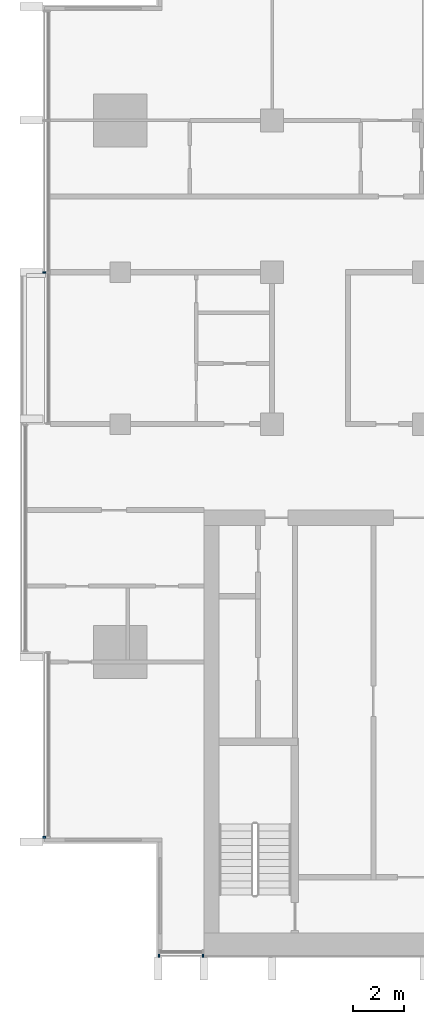
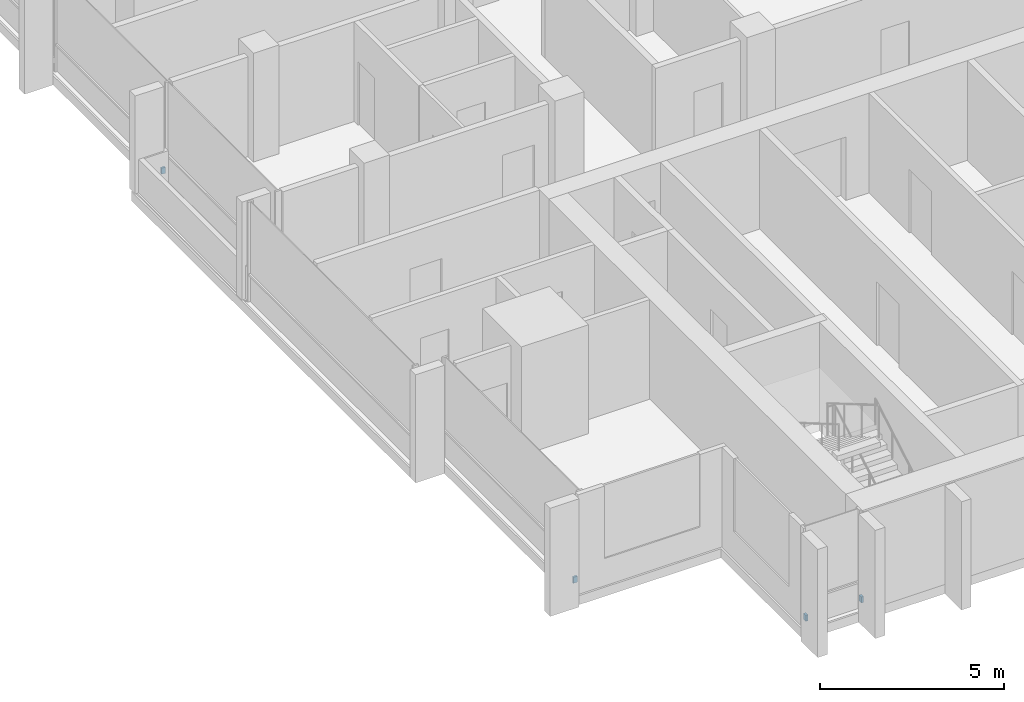
# One storey, part 12 of 16: 4 discrete accessories.
"""IFC4 building model written with IfcOpenShell, lengths in metres."""

from ifc_helpers import new_model, si_unit, direction, frame, origin, origin_2d, place, context, subcontext, project, spatial, rectangle, extrude, material, type_object, element, save


model = new_model("IFC4")

# Units and contexts
model_context = context("Model", 3, precision=1e-05, world=origin(), true_north=direction((0.0, 1.0)))
body_context = subcontext(model_context, "Body", "Model", "MODEL_VIEW")
ifc_project = project(units=[si_unit("LENGTHUNIT", "METRE"), si_unit("AREAUNIT", "SQUARE_METRE"), si_unit("VOLUMEUNIT", "CUBIC_METRE"), si_unit("PLANEANGLEUNIT", "RADIAN"), si_unit("MASSUNIT", "GRAM", prefix="KILO")], contexts=[model_context])

# Site, building, storey
site_placement = place(None, origin())
site = spatial("IfcSite", under=ifc_project, at=site_placement, CompositionType="ELEMENT")
building_placement = place(site_placement, origin())
building = spatial("IfcBuilding", under=site, at=building_placement, Name="Finial Court Residences", CompositionType="ELEMENT")
storey_placement = place(building_placement, frame((0.0, 0.0, 241.10009765625)))
storey = spatial("IfcBuildingStorey", under=building, at=storey_placement, Name="L61", CompositionType="ELEMENT", Elevation=241.10009765625)

# Discrete accessories
ifc_material = material(Name="Stainless steel 316", Category="steel")
discrete_accessory_type = type_object("IfcDiscreteAccessoryType", Name="Fin bracket, stainless steel 60 x 122 x 200", PredefinedType="BRACKET", material=ifc_material)
for number, where, z_axis, x_axis, name in (
    (1, (-14.969970703125, -25.498779296875, 0.2998046875), (0.0, 0.0, 1.0), (1.0, 0.0, 0.0), "E-L61-FIN-S13-BRK"),
    (2, (-13.22998046875, -25.498779296875, 0.2998046875), (0.0, 0.0, 1.0), (1.0, 0.0, 0.0), "E-L61-FIN-S14-BRK"),
):
    element("IfcDiscreteAccessory", number, at=place(storey_placement, frame(where, z_axis=z_axis, x_axis=x_axis)), inside=storey, type_object=discrete_accessory_type, Name=name, PredefinedType="BRACKET", context=body_context, shape_type="SweptSolid", body=[
        extrude(rectangle(XDim=0.06005859375, YDim=0.12255859375, at=origin_2d()), origin(), (0.0, 0.0, 1.0), 0.199951171875),
    ])
for number, where, z_axis, x_axis, name in (
    (3, (-19.498779296875, -20.820068359375, 0.2998046875), (0.0, 0.0, 1.0), (1.0, 0.0, 0.0), "E-L61-FIN-W21-BRK"),
    (4, (-19.498779296875, 1.5, 0.2998046875), (0.0, 0.0, 1.0), (1.0, 0.0, 0.0), "E-L61-FIN-W24-BRK"),
):
    element("IfcDiscreteAccessory", number, at=place(storey_placement, frame(where, z_axis=z_axis, x_axis=x_axis)), inside=storey, type_object=discrete_accessory_type, Name=name, PredefinedType="BRACKET", context=body_context, shape_type="SweptSolid", body=[
        extrude(rectangle(XDim=0.12255859375, YDim=0.06005859375, at=origin_2d()), origin(), (0.0, 0.0, 1.0), 0.199951171875),
    ])

save(model, "model.ifc")
